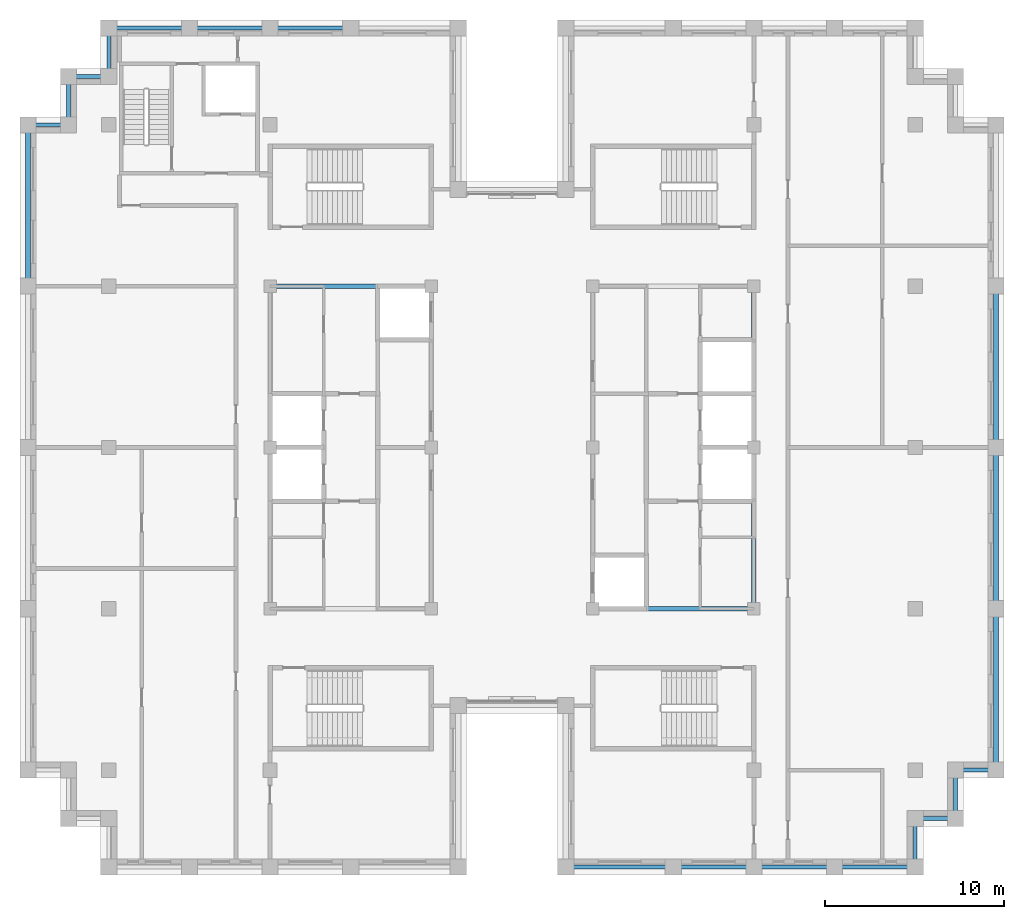
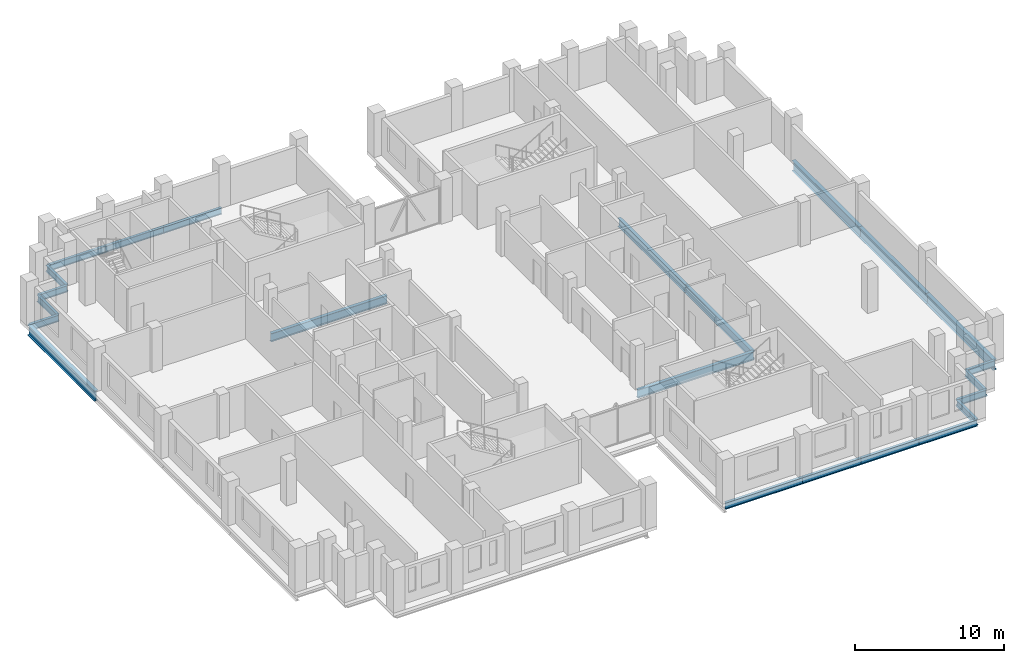
# One storey, part 3 of 13: 23 beams.
"""IFC4 building model written with IfcOpenShell, lengths in metres."""

from ifc_helpers import new_model, si_unit, direction, frame, origin, origin_2d, place, context, subcontext, project, spatial, i_section, extrude, material, material_profile, profile_set, type_object, element, save


model = new_model("IFC4")

# Units and contexts
model_context = context("Model", 3, precision=1e-05, world=origin(), true_north=direction((0.0, 1.0)))
body_context = subcontext(model_context, "Body", "Model", "MODEL_VIEW")
ifc_project = project(units=[si_unit("LENGTHUNIT", "METRE"), si_unit("AREAUNIT", "SQUARE_METRE"), si_unit("VOLUMEUNIT", "CUBIC_METRE"), si_unit("PLANEANGLEUNIT", "RADIAN"), si_unit("MASSUNIT", "GRAM", prefix="KILO")], contexts=[model_context])

# Site, building, storey
site_placement = place(None, origin())
site = spatial("IfcSite", under=ifc_project, at=site_placement, CompositionType="ELEMENT")
building_placement = place(site_placement, origin())
building = spatial("IfcBuilding", under=site, at=building_placement, Name="Corbelhall Arena Tower", CompositionType="ELEMENT")
storey_placement = place(building_placement, frame((0.0, 0.0, 316.0)))
storey = spatial("IfcBuildingStorey", under=building, at=storey_placement, Name="L69", CompositionType="ELEMENT", Elevation=316.0)

# Beams
ifc_material = material(Name="Steel ASTM A992 Gr50", Category="steel")
ifc_material_profile_1 = material_profile(ifc_material, i_section(OverallWidth=0.25390625, OverallDepth=0.67822265625, WebThickness=0.01171875, FlangeThickness=0.016357421875, at=origin_2d()))
ifc_profile_set_1 = profile_set([ifc_material_profile_1], Name="Steel ASTM A992 Gr50")
beam_type_1 = type_object("IfcBeamType", Name="ST-BEAM-W27x84", PredefinedType="BEAM", material=ifc_profile_set_1)
for number, where, z_axis, x_axis, name in (
    (1, (-13.5, 9.0, -0.59912109375), (1.0, 0.0, 0.0), (0.0, 1.0, 0.0), "Beam CEW 6"),
    (2, (13.5, -9.0, -0.59912109375), (0.0, 1.0, 0.0), (-1.0, 0.0, 0.0), "Beam CEE 9"),
    (3, (13.5, 0.0, -0.59912109375), (0.0, 1.0, 0.0), (-1.0, 0.0, 0.0), "Beam CEE 10"),
    (4, (4.5, -9.0, -0.59912109375), (1.0, 0.0, 0.0), (0.0, 1.0, 0.0), "Beam CEE 11"),
):
    element("IfcBeam", number, at=place(storey_placement, frame(where, z_axis=z_axis, x_axis=x_axis)), inside=storey, type_object=beam_type_1, Name=name, PredefinedType="BEAM", context=body_context, shape_type="SweptSolid", body=[
        extrude(i_section(OverallWidth=0.25390625, OverallDepth=0.67822265625, WebThickness=0.01171875, FlangeThickness=0.016357421875, at=origin_2d()), origin(), (0.0, 0.0, 1.0), 9.0),
    ])
ifc_material_profile_2 = material_profile(ifc_material, i_section(OverallWidth=0.209228515625, OverallDepth=0.533447265625, WebThickness=0.01025390625, FlangeThickness=0.015625, at=origin_2d()))
ifc_profile_set_2 = profile_set([ifc_material_profile_2], Name="Steel ASTM A992 Gr50")
beam_type_2 = type_object("IfcBeamType", Name="ST-SPANDREL-W21x62", PredefinedType="SPANDREL", material=ifc_profile_set_2)
beam_1_placement = place(storey_placement, frame((27.0, -18.0, -0.526611328125), z_axis=(-1.0, 0.0, 0.0), x_axis=(0.0, -1.0, 0.0)))
element("IfcBeam", 5, at=beam_1_placement, inside=storey, type_object=beam_type_2, Name="Beam SP 5", PredefinedType="SPANDREL", context=body_context, shape_type="SweptSolid", body=[
    extrude(i_section(OverallWidth=0.209228515625, OverallDepth=0.533447265625, WebThickness=0.01025390625, FlangeThickness=0.015625, at=origin_2d()), origin(), (0.0, 0.0, 1.0), 2.25),
])
for number, where, z_axis, x_axis, name in (
    (6, (-13.5, 23.39990234375, -0.526611328125), (1.0, 0.0, 0.0), (0.0, 1.0, 0.0), "Beam SP 13"),
    (7, (-18.0, 23.39990234375, -0.526611328125), (1.0, 0.0, 0.0), (0.0, 1.0, 0.0), "Beam SP 14"),
    (8, (-22.5, 23.39990234375, -0.526611328125), (1.0, 0.0, 0.0), (0.0, 1.0, 0.0), "Beam SP 15"),
):
    element("IfcBeam", number, at=place(storey_placement, frame(where, z_axis=z_axis, x_axis=x_axis)), inside=storey, type_object=beam_type_2, Name=name, PredefinedType="SPANDREL", context=body_context, shape_type="SweptSolid", body=[
        extrude(i_section(OverallWidth=0.209228515625, OverallDepth=0.533447265625, WebThickness=0.01025390625, FlangeThickness=0.015625, at=origin_2d()), origin(), (0.0, 0.0, 1.0), 4.5),
    ])
beam_2_placement = place(storey_placement, frame((9.0, -23.39990234375, -0.526611328125), z_axis=(-1.0, 0.0, 0.0), x_axis=(0.0, -1.0, 0.0)))
element("IfcBeam", 9, at=beam_2_placement, inside=storey, type_object=beam_type_2, Name="Beam SP 17", PredefinedType="SPANDREL", context=body_context, shape_type="SweptSolid", body=[
    extrude(i_section(OverallWidth=0.209228515625, OverallDepth=0.533447265625, WebThickness=0.01025390625, FlangeThickness=0.015625, at=origin_2d()), origin(), (0.0, 0.0, 1.0), 6.0),
])
for number, where, z_axis, x_axis, name in (
    (10, (13.5, -23.39990234375, -0.526611328125), (-1.0, 0.0, 0.0), (0.0, -1.0, 0.0), "Beam SP 18"),
    (11, (18.0, -23.39990234375, -0.526611328125), (-1.0, 0.0, 0.0), (0.0, -1.0, 0.0), "Beam SP 19"),
    (12, (22.5, -23.39990234375, -0.526611328125), (-1.0, 0.0, 0.0), (0.0, -1.0, 0.0), "Beam SP 20"),
):
    element("IfcBeam", number, at=place(storey_placement, frame(where, z_axis=z_axis, x_axis=x_axis)), inside=storey, type_object=beam_type_2, Name=name, PredefinedType="SPANDREL", context=body_context, shape_type="SweptSolid", body=[
        extrude(i_section(OverallWidth=0.209228515625, OverallDepth=0.533447265625, WebThickness=0.01025390625, FlangeThickness=0.015625, at=origin_2d()), origin(), (0.0, 0.0, 1.0), 4.5),
    ])
beam_3_placement = place(storey_placement, frame((-27.0, 18.0, -0.526611328125), z_axis=(1.0, 0.0, 0.0), x_axis=(0.0, 1.0, 0.0)))
element("IfcBeam", 13, at=beam_3_placement, inside=storey, type_object=beam_type_2, Name="Beam SP 28", PredefinedType="SPANDREL", context=body_context, shape_type="SweptSolid", body=[
    extrude(i_section(OverallWidth=0.209228515625, OverallDepth=0.533447265625, WebThickness=0.01025390625, FlangeThickness=0.015625, at=origin_2d()), origin(), (0.0, 0.0, 1.0), 2.25),
])
beam_4_placement = place(storey_placement, frame((-22.5, 20.699951171875, -0.526611328125), z_axis=(0.0, 1.0, 0.0), x_axis=(-1.0, 0.0, 0.0)))
element("IfcBeam", 14, at=beam_4_placement, inside=storey, type_object=beam_type_2, Name="Beam SP 38", PredefinedType="SPANDREL", context=body_context, shape_type="SweptSolid", body=[
    extrude(i_section(OverallWidth=0.209228515625, OverallDepth=0.533447265625, WebThickness=0.01025390625, FlangeThickness=0.015625, at=origin_2d()), origin(), (0.0, 0.0, 1.0), 2.699951171875),
])
beam_5_placement = place(storey_placement, frame((-24.75, 20.699951171875, -0.526611328125), z_axis=(1.0, 0.0, 0.0), x_axis=(0.0, 1.0, 0.0)))
element("IfcBeam", 15, at=beam_5_placement, inside=storey, type_object=beam_type_2, Name="Beam SP 39", PredefinedType="SPANDREL", context=body_context, shape_type="SweptSolid", body=[
    extrude(i_section(OverallWidth=0.209228515625, OverallDepth=0.533447265625, WebThickness=0.01025390625, FlangeThickness=0.015625, at=origin_2d()), origin(), (0.0, 0.0, 1.0), 2.25),
])
for number, where, z_axis, x_axis, name in (
    (16, (-24.75, 18.0, -0.526611328125), (0.0, 1.0, 0.0), (-1.0, 0.0, 0.0), "Beam SP 40"),
    (17, (22.5, -20.699951171875, -0.526611328125), (0.0, -1.0, 0.0), (1.0, 0.0, 0.0), "Beam SP 41"),
):
    element("IfcBeam", number, at=place(storey_placement, frame(where, z_axis=z_axis, x_axis=x_axis)), inside=storey, type_object=beam_type_2, Name=name, PredefinedType="SPANDREL", context=body_context, shape_type="SweptSolid", body=[
        extrude(i_section(OverallWidth=0.209228515625, OverallDepth=0.533447265625, WebThickness=0.01025390625, FlangeThickness=0.015625, at=origin_2d()), origin(), (0.0, 0.0, 1.0), 2.699951171875),
    ])
beam_6_placement = place(storey_placement, frame((24.75, -20.699951171875, -0.526611328125), z_axis=(-1.0, 0.0, 0.0), x_axis=(0.0, -1.0, 0.0)))
element("IfcBeam", 18, at=beam_6_placement, inside=storey, type_object=beam_type_2, Name="Beam SP 42", PredefinedType="SPANDREL", context=body_context, shape_type="SweptSolid", body=[
    extrude(i_section(OverallWidth=0.209228515625, OverallDepth=0.533447265625, WebThickness=0.01025390625, FlangeThickness=0.015625, at=origin_2d()), origin(), (0.0, 0.0, 1.0), 2.25),
])
beam_7_placement = place(storey_placement, frame((24.75, -18.0, -0.526611328125), z_axis=(0.0, -1.0, 0.0), x_axis=(1.0, 0.0, 0.0)))
element("IfcBeam", 19, at=beam_7_placement, inside=storey, type_object=beam_type_2, Name="Beam SP 43", PredefinedType="SPANDREL", context=body_context, shape_type="SweptSolid", body=[
    extrude(i_section(OverallWidth=0.209228515625, OverallDepth=0.533447265625, WebThickness=0.01025390625, FlangeThickness=0.015625, at=origin_2d()), origin(), (0.0, 0.0, 1.0), 2.699951171875),
])
ifc_material_profile_3 = material_profile(ifc_material, i_section(OverallWidth=0.2919921875, OverallDepth=0.845703125, WebThickness=0.015380859375, FlangeThickness=0.0244140625, at=origin_2d()))
ifc_profile_set_3 = profile_set([ifc_material_profile_3], Name="Steel ASTM A992 Gr50")
beam_type_3 = type_object("IfcBeamType", Name="ST-SPANDREL-W33x141", PredefinedType="SPANDREL", material=ifc_profile_set_3)
for number, where, z_axis, x_axis, name in (
    (20, (27.0, 0.0, -0.682861328125), (0.0, -1.0, 0.0), (1.0, 0.0, 0.0), "Beam SP 1"),
    (21, (27.0, 9.0, -0.682861328125), (0.0, -1.0, 0.0), (1.0, 0.0, 0.0), "Beam SP 2"),
    (22, (27.0, -9.0, -0.682861328125), (0.0, -1.0, 0.0), (1.0, 0.0, 0.0), "Beam SP 4"),
    (23, (-27.0, 9.0, -0.682861328125), (0.0, 1.0, 0.0), (-1.0, 0.0, 0.0), "Beam SP 27"),
):
    element("IfcBeam", number, at=place(storey_placement, frame(where, z_axis=z_axis, x_axis=x_axis)), inside=storey, type_object=beam_type_3, Name=name, PredefinedType="SPANDREL", context=body_context, shape_type="SweptSolid", body=[
        extrude(i_section(OverallWidth=0.2919921875, OverallDepth=0.845703125, WebThickness=0.015380859375, FlangeThickness=0.0244140625, at=origin_2d()), origin(), (0.0, 0.0, 1.0), 9.0),
    ])

save(model, "model.ifc")
